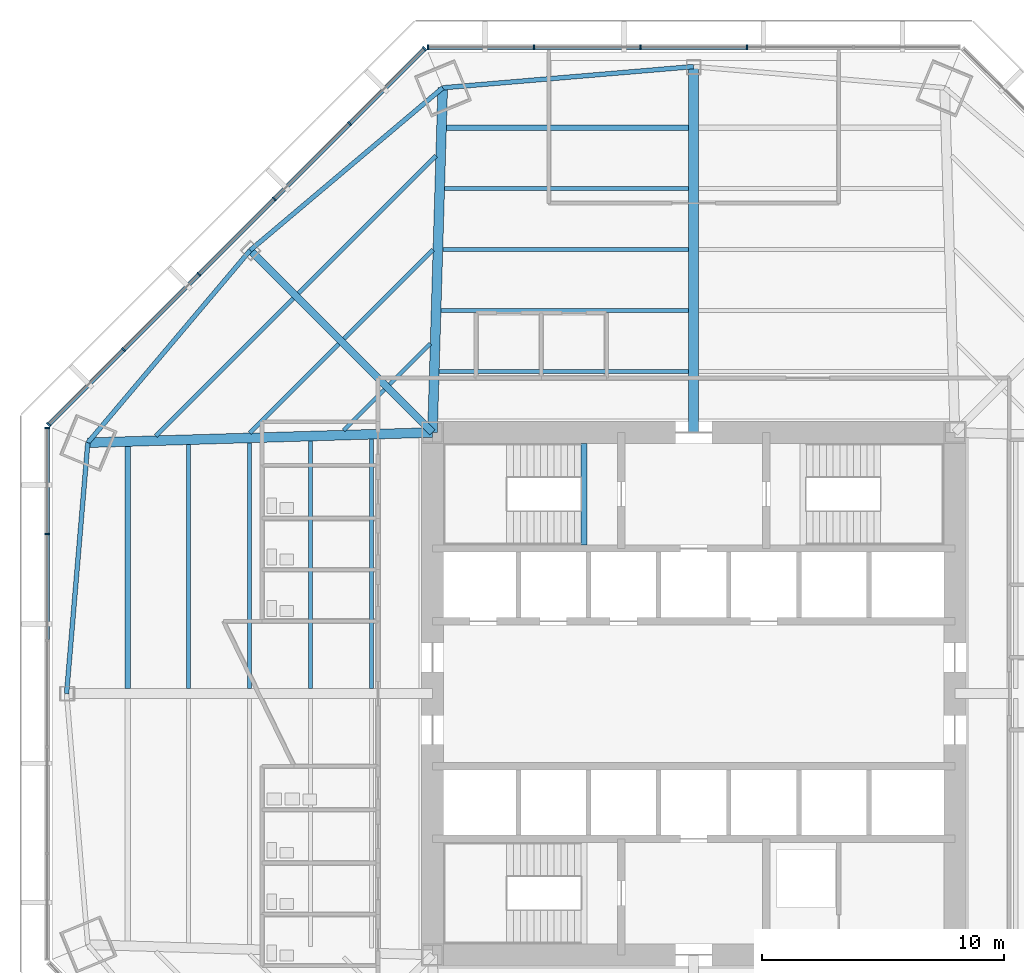
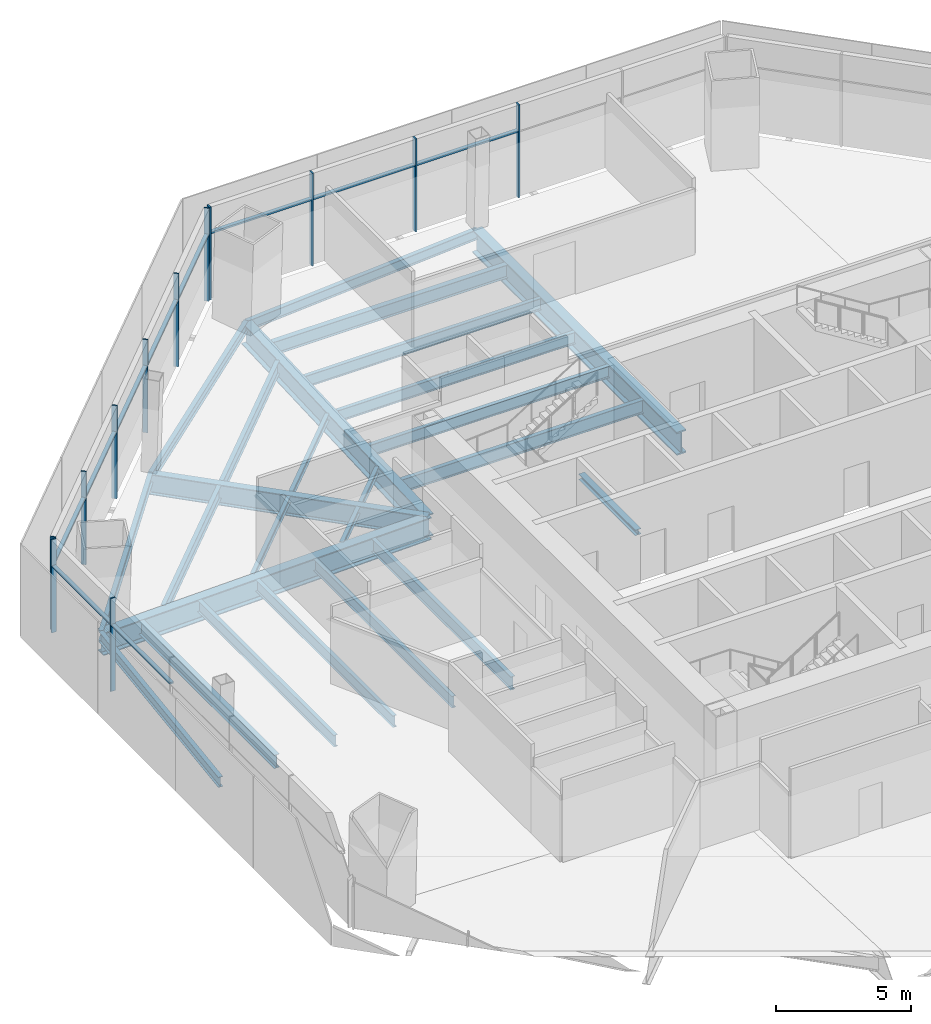
# One storey, part 4 of 13: 25 beams, 22 members, 3 elements without a shape of their own.
"""IFC4 building model written with IfcOpenShell, lengths in metres."""

from ifc_helpers import new_model, si_unit, direction, frame, origin, origin_2d, place, context, subcontext, project, spatial, rectangle, i_section, extrude, source, transform, mapped, material, material_profile, profile_set, type_object, type_shapes, element, aggregate, save


model = new_model("IFC4")

# Units and contexts
model_context = context("Model", 3, precision=1e-05, world=origin(), true_north=direction((0.0, 1.0)))
body_context = subcontext(model_context, "Body", "Model", "MODEL_VIEW")
ifc_project = project(units=[si_unit("LENGTHUNIT", "METRE"), si_unit("AREAUNIT", "SQUARE_METRE"), si_unit("VOLUMEUNIT", "CUBIC_METRE"), si_unit("PLANEANGLEUNIT", "RADIAN"), si_unit("MASSUNIT", "GRAM", prefix="KILO")], contexts=[model_context])

# Site, building, storey
site_placement = place(None, origin())
site = spatial("IfcSite", under=ifc_project, at=site_placement, CompositionType="ELEMENT")
building_placement = place(site_placement, origin())
building = spatial("IfcBuilding", under=site, at=building_placement, Name="Mashrafa Tower", CompositionType="ELEMENT")
storey_placement = place(building_placement, frame((0.0, 0.0, 45.60009765625)))
storey = spatial("IfcBuildingStorey", under=building, at=storey_placement, Name="L09", CompositionType="ELEMENT", Elevation=45.60009765625)

# Beams
ifc_material_1 = material(Name="Steel ASTM A992", Category="steel")
ifc_material_profile_1 = material_profile(ifc_material_1, i_section(OverallWidth=0.164794921875, OverallDepth=0.309814453125, WebThickness=0.005859375, FlangeThickness=0.009765625, FilletRadius=0.007568359375, at=origin_2d()), Name="W12X26")
ifc_profile_set_1 = profile_set([ifc_material_profile_1], Name="Steel ASTM A992")
beam_type_1 = type_object("IfcBeamType", Name="Beam W12X26", PredefinedType="BEAM", material=ifc_profile_set_1)
beam_1_placement = place(storey_placement, frame((-18.358642578125, 10.776123046875, -0.320068359375), z_axis=(0.707083341053, 0.707130220543, 0.0), x_axis=(-0.707130220543, 0.707083341053, 0.0)))
element("IfcBeam", 1, at=beam_1_placement, inside=storey, type_object=beam_type_1, Name="Floor beam L09 006", PredefinedType="BEAM", context=body_context, shape_type="SweptSolid", body=[
    extrude(i_section(OverallWidth=0.164794921875, OverallDepth=0.309814453125, WebThickness=0.005859375, FlangeThickness=0.009765625, FilletRadius=0.007568359375, at=origin_2d()), origin(), (0.0, 0.0, 1.0), 5.207763671875),
])
beam_2_placement = place(storey_placement, frame((-14.475830078125, 10.8916015625, -0.320068359375), z_axis=(0.707106781187, 0.707106781187, 0.0), x_axis=(-0.707106781187, 0.707106781187, 0.0)))
element("IfcBeam", 2, at=beam_2_placement, inside=storey, type_object=beam_type_1, Name="Floor beam L09 013", PredefinedType="BEAM", context=body_context, shape_type="SweptSolid", body=[
    extrude(i_section(OverallWidth=0.164794921875, OverallDepth=0.309814453125, WebThickness=0.005859375, FlangeThickness=0.009765625, FilletRadius=0.007568359375, at=origin_2d()), origin(), (0.0, 0.0, 1.0), 2.380615234375),
])
beam_3_placement = place(storey_placement, frame((-14.458740234375, 14.67626953125, -0.320068359375), z_axis=(0.707130220543, 0.707083341053, 0.0), x_axis=(-0.707083341053, 0.707130220543, 0.0)))
element("IfcBeam", 3, at=beam_3_placement, inside=storey, type_object=beam_type_1, Name="Floor beam L09 015", PredefinedType="BEAM", context=body_context, shape_type="SweptSolid", body=[
    extrude(i_section(OverallWidth=0.164794921875, OverallDepth=0.309814453125, WebThickness=0.005859375, FlangeThickness=0.009765625, FilletRadius=0.007568359375, at=origin_2d()), origin(), (0.0, 0.0, 1.0), 5.207763671875),
])
beam_4_placement = place(storey_placement, frame((-12.574951171875, 12.79248046875, -0.320068359375), z_axis=(0.707106781187, 0.707106781187, 0.0), x_axis=(-0.707106781187, 0.707106781187, 0.0)))
element("IfcBeam", 4, at=beam_4_placement, inside=storey, type_object=beam_type_1, Name="Floor beam L09 019", PredefinedType="BEAM", context=body_context, shape_type="SweptSolid", body=[
    extrude(i_section(OverallWidth=0.164794921875, OverallDepth=0.309814453125, WebThickness=0.005859375, FlangeThickness=0.009765625, FilletRadius=0.007568359375, at=origin_2d()), origin(), (0.0, 0.0, 1.0), 2.380615234375),
])
ifc_material_2 = material(Name="Steel ASTM A992", Category="steel")
ifc_material_profile_2 = material_profile(ifc_material_2, i_section(OverallWidth=0.191162109375, OverallDepth=0.459716796875, WebThickness=0.010009765625, FlangeThickness=0.01611328125, FilletRadius=0.01025390625, at=origin_2d()), Name="W18X55")
ifc_profile_set_2 = profile_set([ifc_material_profile_2], Name="Steel ASTM A992")
beam_type_2 = type_object("IfcBeamType", Name="Beam W18X55", PredefinedType="BEAM", material=ifc_profile_set_2)
beam_5_placement = place(storey_placement, frame((-25.05126953125, 10.376708984375, -0.39501953125), z_axis=(-0.084327875805, -0.996438060976, 0.0), x_axis=(0.996438060976, -0.084327875805, 0.0)))
element("IfcBeam", 5, at=beam_5_placement, inside=storey, type_object=beam_type_2, Name="Spandrel beam L09 083", PredefinedType="BEAM", context=body_context, shape_type="SweptSolid", body=[
    extrude(i_section(OverallWidth=0.191162109375, OverallDepth=0.459716796875, WebThickness=0.010009765625, FlangeThickness=0.01611328125, FilletRadius=0.01025390625, at=origin_2d()), origin(), (0.0, 0.0, 1.0), 10.413818359375),
])
for number, where, z_axis, x_axis, name in (
    (6, (-18.3349609375, 18.3349609375, -0.39501953125), (-0.64495695608, -0.764218898486, 0.0), (0.764218898486, -0.64495695608, 0.0), "Spandrel beam L09 085"),
    (7, (-10.376708984375, 25.05126953125, -0.39501953125), (-0.764218898486, -0.64495695608, 0.0), (0.64495695608, -0.764218898486, 0.0), "Spandrel beam L09 087"),
):
    element("IfcBeam", number, at=place(storey_placement, frame(where, z_axis=z_axis, x_axis=x_axis)), inside=storey, type_object=beam_type_2, Name=name, PredefinedType="BEAM", context=body_context, shape_type="SweptSolid", body=[
        extrude(i_section(OverallWidth=0.191162109375, OverallDepth=0.459716796875, WebThickness=0.010009765625, FlangeThickness=0.01611328125, FilletRadius=0.01025390625, at=origin_2d()), origin(), (0.0, 0.0, 1.0), 10.41357421875),
    ])
beam_6_placement = place(storey_placement, frame((0.0, 25.929443359375, -0.39501953125), z_axis=(-0.996438060976, -0.084327875805, 0.0), x_axis=(0.084327875805, -0.996438060976, 0.0)))
element("IfcBeam", 8, at=beam_6_placement, inside=storey, type_object=beam_type_2, Name="Spandrel beam L09 089", PredefinedType="BEAM", context=body_context, shape_type="SweptSolid", body=[
    extrude(i_section(OverallWidth=0.191162109375, OverallDepth=0.459716796875, WebThickness=0.010009765625, FlangeThickness=0.01611328125, FilletRadius=0.01025390625, at=origin_2d()), origin(), (0.0, 0.0, 1.0), 10.413818359375),
])
ifc_material_3 = material(Name="Steel ASTM A992", Category="steel")
ifc_material_profile_3 = material_profile(ifc_material_3, i_section(OverallWidth=0.1650390625, OverallDepth=0.52587890625, WebThickness=0.0087890625, FlangeThickness=0.011474609375, FilletRadius=0.0126953125, at=origin_2d()), Name="W21X44")
ifc_profile_set_3 = profile_set([ifc_material_profile_3], Name="Steel ASTM A992")
beam_type_3 = type_object("IfcBeamType", Name="Beam W21X44", PredefinedType="BEAM", material=ifc_profile_set_3)
for number, where, z_axis, x_axis, name in (
    (9, (-20.88623046875, 0.20458984375, -0.427978515625), (0.0, 1.0, 0.0), (-1.0, 0.0, 0.0), "Floor beam L09 005"),
    (10, (-10.299560546875, 20.88623046875, -0.427978515625), (1.0, 0.0, 0.0), (0.0, 1.0, 0.0), "Floor beam L09 025"),
):
    element("IfcBeam", number, at=place(storey_placement, frame(where, z_axis=z_axis, x_axis=x_axis)), inside=storey, type_object=beam_type_3, Name=name, PredefinedType="BEAM", context=body_context, shape_type="SweptSolid", body=[
        extrude(i_section(OverallWidth=0.1650390625, OverallDepth=0.52587890625, WebThickness=0.0087890625, FlangeThickness=0.011474609375, FilletRadius=0.0126953125, at=origin_2d()), origin(), (0.0, 0.0, 1.0), 10.094970703125),
    ])
ifc_material_4 = material(Name="Steel ASTM A992", Category="steel")
ifc_material_profile_4 = material_profile(ifc_material_4, i_section(OverallWidth=0.165771484375, OverallDepth=0.5283203125, WebThickness=0.009765625, FlangeThickness=0.013671875, FilletRadius=0.012939453125, at=origin_2d()), Name="W21X50")
ifc_profile_set_4 = profile_set([ifc_material_profile_4], Name="Steel ASTM A992")
beam_type_4 = type_object("IfcBeamType", Name="Beam W21X50", PredefinedType="BEAM", material=ifc_profile_set_4)
beam_7_placement = place(storey_placement, frame((-18.36474609375, 0.20458984375, -0.42919921875), z_axis=(0.0, 1.0, 0.0), x_axis=(-1.0, 0.0, 0.0)))
element("IfcBeam", 11, at=beam_7_placement, inside=storey, type_object=beam_type_4, Name="Floor beam L09 008", PredefinedType="BEAM", context=body_context, shape_type="SweptSolid", body=[
    extrude(i_section(OverallWidth=0.165771484375, OverallDepth=0.5283203125, WebThickness=0.009765625, FlangeThickness=0.013671875, FilletRadius=0.012939453125, at=origin_2d()), origin(), (0.0, 0.0, 1.0), 10.169921875),
])
for number, where, z_axis, x_axis, name in (
    (12, (-15.843017578125, 0.20458984375, -0.42919921875), (0.0, 1.0, 0.0), (-1.0, 0.0, 0.0), "Floor beam L09 012"),
    (13, (-10.449462890625, 15.843017578125, -0.42919921875), (1.0, 0.0, 0.0), (0.0, 1.0, 0.0), "Floor beam L09 022"),
):
    element("IfcBeam", number, at=place(storey_placement, frame(where, z_axis=z_axis, x_axis=x_axis)), inside=storey, type_object=beam_type_4, Name=name, PredefinedType="BEAM", context=body_context, shape_type="SweptSolid", body=[
        extrude(i_section(OverallWidth=0.165771484375, OverallDepth=0.5283203125, WebThickness=0.009765625, FlangeThickness=0.013671875, FilletRadius=0.012939453125, at=origin_2d()), origin(), (0.0, 0.0, 1.0), 10.244873046875),
    ])
beam_8_placement = place(storey_placement, frame((-10.37451171875, 18.36474609375, -0.42919921875), z_axis=(1.0, 0.0, 0.0), x_axis=(0.0, 1.0, 0.0)))
element("IfcBeam", 14, at=beam_8_placement, inside=storey, type_object=beam_type_4, Name="Floor beam L09 023", PredefinedType="BEAM", context=body_context, shape_type="SweptSolid", body=[
    extrude(i_section(OverallWidth=0.165771484375, OverallDepth=0.5283203125, WebThickness=0.009765625, FlangeThickness=0.013671875, FilletRadius=0.012939453125, at=origin_2d()), origin(), (0.0, 0.0, 1.0), 10.169921875),
])
ifc_material_5 = material(Name="Steel ASTM A992", Category="steel")
ifc_material_profile_5 = material_profile(ifc_material_5, i_section(OverallWidth=0.177978515625, OverallDepth=0.599365234375, WebThickness=0.010009765625, FlangeThickness=0.012939453125, FilletRadius=0.012939453125, at=origin_2d()), Name="W24X55")
ifc_profile_set_5 = profile_set([ifc_material_profile_5], Name="Steel ASTM A992")
beam_type_5 = type_object("IfcBeamType", Name="Beam W24X55", PredefinedType="BEAM", material=ifc_profile_set_5)
for number, where, z_axis, x_axis, name in (
    (15, (-22.241455078125, 10.660888671875, -0.46484375), (0.707106781187, 0.707106781187, 0.0), (-0.707106781187, 0.707106781187, 0.0), "Floor beam L09 003"),
    (16, (-16.342529296875, 16.559814453125, -0.46484375), (0.707106781187, 0.707106781187, 0.0), (-0.707106781187, 0.707106781187, 0.0), "Floor beam L09 010"),
):
    element("IfcBeam", number, at=place(storey_placement, frame(where, z_axis=z_axis, x_axis=x_axis)), inside=storey, type_object=beam_type_5, Name=name, PredefinedType="BEAM", context=body_context, shape_type="SweptSolid", body=[
        extrude(i_section(OverallWidth=0.177978515625, OverallDepth=0.599365234375, WebThickness=0.010009765625, FlangeThickness=0.012939453125, FilletRadius=0.012939453125, at=origin_2d()), origin(), (0.0, 0.0, 1.0), 8.03515625),
    ])
for number, where, z_axis, x_axis, name in (
    (17, (-13.321533203125, 0.20458984375, -0.46484375), (0.0, 1.0, 0.0), (-1.0, 0.0, 0.0), "Floor beam L09 017"),
    (18, (-10.5244140625, 13.321533203125, -0.46484375), (1.0, 0.0, 0.0), (0.0, 1.0, 0.0), "Floor beam L09 020"),
):
    element("IfcBeam", number, at=place(storey_placement, frame(where, z_axis=z_axis, x_axis=x_axis)), inside=storey, type_object=beam_type_5, Name=name, PredefinedType="BEAM", context=body_context, shape_type="SweptSolid", body=[
        extrude(i_section(OverallWidth=0.177978515625, OverallDepth=0.599365234375, WebThickness=0.010009765625, FlangeThickness=0.012939453125, FilletRadius=0.012939453125, at=origin_2d()), origin(), (0.0, 0.0, 1.0), 10.31982421875),
    ])
ifc_material_6 = material(Name="Steel ASTM A992", Category="steel")
ifc_material_profile_6 = material_profile(ifc_material_6, i_section(OverallWidth=0.227783203125, OverallDepth=0.60205078125, WebThickness=0.010498046875, FlangeThickness=0.014892578125, FilletRadius=0.012939453125, at=origin_2d()), Name="W24X68")
ifc_profile_set_6 = profile_set([ifc_material_profile_6], Name="Steel ASTM A992")
beam_type_6 = type_object("IfcBeamType", Name="Beam W24X68", PredefinedType="BEAM", material=ifc_profile_set_6)
for number, where, z_axis, x_axis, name in (
    (19, (-23.40771484375, 0.20458984375, -0.466064453125), (0.0, 1.0, 0.0), (-1.0, 0.0, 0.0), "Floor beam L09 002"),
    (20, (-10.224609375, 23.40771484375, -0.466064453125), (1.0, 0.0, 0.0), (0.0, 1.0, 0.0), "Floor beam L09 027"),
):
    element("IfcBeam", number, at=place(storey_placement, frame(where, z_axis=z_axis, x_axis=x_axis)), inside=storey, type_object=beam_type_6, Name=name, PredefinedType="BEAM", context=body_context, shape_type="SweptSolid", body=[
        extrude(i_section(OverallWidth=0.227783203125, OverallDepth=0.60205078125, WebThickness=0.010498046875, FlangeThickness=0.014892578125, FilletRadius=0.012939453125, at=origin_2d()), origin(), (0.0, 0.0, 1.0), 10.02001953125),
    ])
ifc_material_7 = material(Name="Steel ASTM A992", Category="steel")
ifc_material_profile_7 = material_profile(ifc_material_7, i_section(OverallWidth=0.307373046875, OverallDepth=0.927001953125, WebThickness=0.01953125, FlangeThickness=0.031982421875, FilletRadius=0.01904296875, at=origin_2d()), Name="W36X194")
ifc_profile_set_7 = profile_set([ifc_material_profile_7], Name="Steel ASTM A992")
beam_type_7 = type_object("IfcBeamType", Name="Beam W36X194", PredefinedType="BEAM", material=ifc_profile_set_7)
beam_9_placement = place(storey_placement, frame((-10.800048828125, 10.800048828125, -0.628662109375), z_axis=(-0.707106781187, 0.707106781187, 0.0), x_axis=(-0.707106781187, -0.707106781187, 0.0)))
element("IfcBeam", 21, at=beam_9_placement, inside=storey, type_object=beam_type_7, Name="Radial girder L09 070", PredefinedType="BEAM", context=body_context, shape_type="SweptSolid", body=[
    extrude(i_section(OverallWidth=0.307373046875, OverallDepth=0.927001953125, WebThickness=0.01953125, FlangeThickness=0.031982421875, FilletRadius=0.01904296875, at=origin_2d()), origin(), (0.0, 0.0, 1.0), 10.656005859375),
])
ifc_material_8 = material(Name="Steel ASTM A992", Category="steel")
ifc_material_profile_8 = material_profile(ifc_material_8, i_section(OverallWidth=0.4013671875, OverallDepth=1.010986328125, WebThickness=0.023681640625, FlangeThickness=0.0419921875, FilletRadius=0.02001953125, at=origin_2d()), Name="W40X297")
ifc_profile_set_8 = profile_set([ifc_material_profile_8], Name="Steel ASTM A992")
beam_type_8 = type_object("IfcBeamType", Name="Beam W40X297", PredefinedType="BEAM", material=ifc_profile_set_8)
for number, where, z_axis, x_axis, name in (
    (22, (-10.800048828125, 10.800048828125, -0.670654296875), (-0.999559082986, -0.029692416869, 0.0), (0.029692416869, -0.999559082986, 0.0), "Radial girder L09 069"),
    (23, (-10.800048828125, 10.800048828125, -0.670654296875), (0.029692416869, 0.999559082986, 0.0), (-0.999559082986, 0.029692416869, 0.0), "Radial girder L09 071"),
):
    element("IfcBeam", number, at=place(storey_placement, frame(where, z_axis=z_axis, x_axis=x_axis)), inside=storey, type_object=beam_type_8, Name=name, PredefinedType="BEAM", context=body_context, shape_type="SweptSolid", body=[
        extrude(i_section(OverallWidth=0.4013671875, OverallDepth=1.010986328125, WebThickness=0.023681640625, FlangeThickness=0.0419921875, FilletRadius=0.02001953125, at=origin_2d()), origin(), (0.0, 0.0, 1.0), 14.257568359375),
    ])
ifc_material_9 = material(Name="Steel ASTM A992", Category="steel")
ifc_material_profile_9 = material_profile(ifc_material_9, i_section(OverallWidth=0.408935546875, OverallDepth=1.04150390625, WebThickness=0.031005859375, FlangeThickness=0.055908203125, FilletRadius=0.020263671875, at=origin_2d()), Name="W40X397")
ifc_profile_set_9 = profile_set([ifc_material_profile_9], Name="Steel ASTM A992")
beam_type_9 = type_object("IfcBeamType", Name="Beam W40X397", PredefinedType="BEAM", material=ifc_profile_set_9)
beam_10_placement = place(storey_placement, frame((0.0, 10.800048828125, -0.685791015625), z_axis=(0.0, 1.0, 0.0), x_axis=(-1.0, 0.0, 0.0)))
element("IfcBeam", 24, at=beam_10_placement, inside=storey, type_object=beam_type_9, Name="Radial girder L09 073", PredefinedType="BEAM", context=body_context, shape_type="SweptSolid", body=[
    extrude(i_section(OverallWidth=0.408935546875, OverallDepth=1.04150390625, WebThickness=0.031005859375, FlangeThickness=0.055908203125, FilletRadius=0.020263671875, at=origin_2d()), origin(), (0.0, 0.0, 1.0), 15.12939453125),
])
ifc_material_10 = material(Name="Steel ASTM A992", Category="steel")
ifc_material_profile_10 = material_profile(ifc_material_10, i_section(OverallWidth=0.25390625, OverallDepth=0.25390625, WebThickness=0.008544921875, FlangeThickness=0.01416015625, FilletRadius=0.010009765625, at=origin_2d()), Name="W10X49")
ifc_profile_set_10 = profile_set([ifc_material_profile_10], Name="Steel ASTM A992")
beam_type_10 = type_object("IfcBeamType", Name="Hoistway beam W10X49", PredefinedType="BEAM", material=ifc_profile_set_10)
beam_11_placement = place(storey_placement, frame((-4.530029296875, 6.14990234375, -0.3271484375), z_axis=(0.0, 1.0, 0.0), x_axis=(-1.0, 0.0, 0.0)))
element("IfcBeam", 25, at=beam_11_placement, inside=storey, type_object=beam_type_10, Name="Stair S1 landing beam L09", PredefinedType="BEAM", context=body_context, shape_type="SweptSolid", body=[
    extrude(i_section(OverallWidth=0.25390625, OverallDepth=0.25390625, WebThickness=0.008544921875, FlangeThickness=0.01416015625, FilletRadius=0.010009765625, at=origin_2d()), origin(), (0.0, 0.0, 1.0), 4.2001953125),
])

# Curtain wall, members
ifc_material_11 = material(Name="Unitised aluminium curtain wall", Category="aluminium")
curtain_wall_type = type_object("IfcCurtainWallType", Name="Office curtain wall, zone 1 CW-A 200 deep", PredefinedType="NOTDEFINED", material=ifc_material_11)
curtain_wall_1_placement = place(storey_placement, origin())
curtain_wall_1 = element("IfcCurtainWall", 26, at=curtain_wall_1_placement, inside=storey, type_object=curtain_wall_type, Name="Office curtain wall, zone 1 L09 north", PredefinedType="NOTDEFINED")
ifc_material_12 = material(Name="Extruded aluminium mullion", Category="aluminium")
ifc_material_profile_11 = material_profile(ifc_material_12, rectangle(XDim=0.199951171875, YDim=0.06494140625, at=origin_2d()), Name="Mullion 65x200")
ifc_profile_set_11 = profile_set([ifc_material_profile_11], Name="Extruded aluminium mullion")
member_type_1 = type_object("IfcMemberType", Name="Mullion CW-A 65 x 200", PredefinedType="MULLION", material=ifc_profile_set_11)
shared_shape_1 = source(origin(), body_context, "Body", "SweptSolid", [
    extrude(rectangle(XDim=0.199951171875, YDim=0.06494140625, at=origin_2d()), origin(), (0.0, 0.0, 1.0), 4.199951171875),
])
type_shapes(member_type_1, [shared_shape_1])
member_1_placement = place(storey_placement, frame((2.20361328125, 26.724853515625, 0.0), z_axis=(0.0, 0.0, 1.0), x_axis=(0.0, -1.0, 0.0)))
member_1 = element("IfcMember", 27, at=member_1_placement, type_object=member_type_1, Name="CW-A mullion 3", PredefinedType="MULLION", context=body_context, shape_type="MappedRepresentation", body=[
    mapped(shared_shape_1, transform((0.0, 0.0, 0.0))),
])
member_2_placement = place(storey_placement, frame((-2.20361328125, 26.724853515625, 0.0), z_axis=(0.0, 0.0, 1.0), x_axis=(0.0, -1.0, 0.0)))
member_2 = element("IfcMember", 28, at=member_2_placement, type_object=member_type_1, Name="CW-A mullion 4", PredefinedType="MULLION", context=body_context, shape_type="MappedRepresentation", body=[
    mapped(shared_shape_1, transform((0.0, 0.0, 0.0))),
])
member_3_placement = place(storey_placement, frame((-6.611083984375, 26.724853515625, 0.0), z_axis=(0.0, 0.0, 1.0), x_axis=(0.0, -1.0, 0.0)))
member_3 = element("IfcMember", 29, at=member_3_placement, type_object=member_type_1, Name="CW-A mullion 5", PredefinedType="MULLION", context=body_context, shape_type="MappedRepresentation", body=[
    mapped(shared_shape_1, transform((0.0, 0.0, 0.0))),
])
member_4_placement = place(storey_placement, frame((-10.98583984375, 26.724853515625, 0.0), z_axis=(0.0, 0.0, 1.0), x_axis=(0.0, -1.0, 0.0)))
member_4 = element("IfcMember", 30, at=member_4_placement, type_object=member_type_1, Name="CW-A mullion 6", PredefinedType="MULLION", context=body_context, shape_type="MappedRepresentation", body=[
    mapped(shared_shape_1, transform((0.0, 0.0, 0.0))),
])

curtain_wall_2_placement = place(storey_placement, origin())
curtain_wall_2 = element("IfcCurtainWall", 31, at=curtain_wall_2_placement, inside=storey, type_object=curtain_wall_type, Name="Office curtain wall, zone 1 L09 north-west", PredefinedType="NOTDEFINED")
member_5_placement = place(storey_placement, frame((-11.129150390625, 26.66552734375, 0.0), z_axis=(0.0, 0.0, 1.0), x_axis=(0.707106781187, -0.707106781187, 0.0)))
member_5 = element("IfcMember", 32, at=member_5_placement, type_object=member_type_1, Name="CW-A mullion 1", PredefinedType="MULLION", context=body_context, shape_type="MappedRepresentation", body=[
    mapped(shared_shape_1, transform((0.0, 0.0, 0.0))),
])
member_6_placement = place(storey_placement, frame((-14.22265625, 23.572021484375, 0.0), z_axis=(0.0, 0.0, 1.0), x_axis=(0.707106781187, -0.707106781187, 0.0)))
member_6 = element("IfcMember", 33, at=member_6_placement, type_object=member_type_1, Name="CW-A mullion 2", PredefinedType="MULLION", context=body_context, shape_type="MappedRepresentation", body=[
    mapped(shared_shape_1, transform((0.0, 0.0, 0.0))),
])
member_7_placement = place(storey_placement, frame((-17.339111328125, 20.45556640625, 0.0), z_axis=(0.0, 0.0, 1.0), x_axis=(0.707106781187, -0.707106781187, 0.0)))
member_7 = element("IfcMember", 34, at=member_7_placement, type_object=member_type_1, Name="CW-A mullion 3", PredefinedType="MULLION", context=body_context, shape_type="MappedRepresentation", body=[
    mapped(shared_shape_1, transform((0.0, 0.0, 0.0))),
])
member_8_placement = place(storey_placement, frame((-20.45556640625, 17.339111328125, 0.0), z_axis=(0.0, 0.0, 1.0), x_axis=(0.707106781187, -0.707106781187, 0.0)))
member_8 = element("IfcMember", 35, at=member_8_placement, type_object=member_type_1, Name="CW-A mullion 4", PredefinedType="MULLION", context=body_context, shape_type="MappedRepresentation", body=[
    mapped(shared_shape_1, transform((0.0, 0.0, 0.0))),
])
member_9_placement = place(storey_placement, frame((-23.572021484375, 14.22265625, 0.0), z_axis=(0.0, 0.0, 1.0), x_axis=(0.707106781187, -0.707106781187, 0.0)))
member_9 = element("IfcMember", 36, at=member_9_placement, type_object=member_type_1, Name="CW-A mullion 5", PredefinedType="MULLION", context=body_context, shape_type="MappedRepresentation", body=[
    mapped(shared_shape_1, transform((0.0, 0.0, 0.0))),
])
member_10_placement = place(storey_placement, frame((-26.66552734375, 11.129150390625, 0.0), z_axis=(0.0, 0.0, 1.0), x_axis=(0.707106781187, -0.707106781187, 0.0)))
member_10 = element("IfcMember", 37, at=member_10_placement, type_object=member_type_1, Name="CW-A mullion 6", PredefinedType="MULLION", context=body_context, shape_type="MappedRepresentation", body=[
    mapped(shared_shape_1, transform((0.0, 0.0, 0.0))),
])

curtain_wall_3_placement = place(storey_placement, origin())
curtain_wall_3 = element("IfcCurtainWall", 38, at=curtain_wall_3_placement, inside=storey, type_object=curtain_wall_type, Name="Office curtain wall, zone 1 L09 west", PredefinedType="NOTDEFINED")
member_11_placement = place(storey_placement, frame((-26.724853515625, 10.98583984375, 0.0), z_axis=(0.0, 0.0, 1.0), x_axis=(1.0, 0.0, 0.0)))
member_11 = element("IfcMember", 39, at=member_11_placement, type_object=member_type_1, Name="CW-A mullion 1", PredefinedType="MULLION", context=body_context, shape_type="MappedRepresentation", body=[
    mapped(shared_shape_1, transform((0.0, 0.0, 0.0))),
])
member_12_placement = place(storey_placement, frame((-26.724853515625, 6.611083984375, 0.0), z_axis=(0.0, 0.0, 1.0), x_axis=(1.0, 0.0, 0.0)))
member_12 = element("IfcMember", 40, at=member_12_placement, type_object=member_type_1, Name="CW-A mullion 2", PredefinedType="MULLION", context=body_context, shape_type="MappedRepresentation", body=[
    mapped(shared_shape_1, transform((0.0, 0.0, 0.0))),
])

# Member
ifc_material_13 = material(Name="Extruded aluminium transom", Category="aluminium")
ifc_material_profile_12 = material_profile(ifc_material_13, rectangle(XDim=0.159912109375, YDim=0.080078125, at=origin_2d()), Name="Transom 80x160")
ifc_profile_set_12 = profile_set([ifc_material_profile_12], Name="Extruded aluminium transom")
member_type_2 = type_object("IfcMemberType", Name="Transom CW-A 80 x 160", PredefinedType="MULLION", material=ifc_profile_set_12)
shared_shape_2 = source(origin(), body_context, "Body", "SweptSolid", [
    extrude(rectangle(XDim=0.159912109375, YDim=0.080078125, at=origin_2d()), origin(), (0.0, 0.0, 1.0), 4.309814453125),
])
member_13_placement = place(storey_placement, frame((-6.6435546875, 26.724853515625, 3.0), z_axis=(-1.0, 0.0, 0.0), x_axis=(0.0, -1.0, 0.0)))
member_13 = element("IfcMember", 41, at=member_13_placement, type_object=member_type_2, Name="CW-A transom 5", PredefinedType="MULLION", context=body_context, shape_type="MappedRepresentation", body=[
    mapped(shared_shape_2, transform((0.0, 0.0, 0.0))),
])

member_14_placement = place(storey_placement, frame((-11.152099609375, 26.642333984375, 3.0), z_axis=(-0.707135104544, -0.707078456695, 0.0), x_axis=(0.707078456695, -0.707135104544, 0.0)))
member_14 = element("IfcMember", 42, at=member_14_placement, type_object=member_type_2, Name="CW-A transom 1", PredefinedType="MULLION", context=body_context, shape_type="MappedRepresentation", body=[
    mapped(shared_shape_2, transform((0.0, 0.0, 0.0))),
])

member_15_placement = place(storey_placement, frame((-23.594970703125, 14.19970703125, 3.0), z_axis=(-0.707078456695, -0.707135104544, 0.0), x_axis=(0.707135104544, -0.707078456695, 0.0)))
member_15 = element("IfcMember", 43, at=member_15_placement, type_object=member_type_2, Name="CW-A transom 5", PredefinedType="MULLION", context=body_context, shape_type="MappedRepresentation", body=[
    mapped(shared_shape_2, transform((0.0, 0.0, 0.0))),
])

member_16_placement = place(storey_placement, frame((-26.724853515625, 10.953369140625, 3.0), z_axis=(0.0, -1.0, 0.0), x_axis=(1.0, 0.0, 0.0)))
member_16 = element("IfcMember", 44, at=member_16_placement, type_object=member_type_2, Name="CW-A transom 1", PredefinedType="MULLION", context=body_context, shape_type="MappedRepresentation", body=[
    mapped(shared_shape_2, transform((0.0, 0.0, 0.0))),
])

shared_shape_3 = source(origin(), body_context, "Body", "SweptSolid", [
    extrude(rectangle(XDim=0.159912109375, YDim=0.080078125, at=origin_2d()), origin(), (0.0, 0.0, 1.0), 4.342529296875),
])
member_17_placement = place(storey_placement, frame((-2.236083984375, 26.724853515625, 3.0), z_axis=(-1.0, 0.0, 0.0), x_axis=(0.0, -1.0, 0.0)))
member_17 = element("IfcMember", 45, at=member_17_placement, type_object=member_type_2, Name="CW-A transom 4", PredefinedType="MULLION", context=body_context, shape_type="MappedRepresentation", body=[
    mapped(shared_shape_3, transform((0.0, 0.0, 0.0))),
])

member_18_placement = place(storey_placement, frame((-14.24560546875, 23.549072265625, 3.0), z_axis=(-0.707106781187, -0.707106781187, 0.0), x_axis=(0.707106781187, -0.707106781187, 0.0)))
member_18 = element("IfcMember", 46, at=member_18_placement, type_object=member_type_2, Name="CW-A transom 2", PredefinedType="MULLION", context=body_context, shape_type="MappedRepresentation", body=[
    mapped(shared_shape_3, transform((0.0, 0.0, 0.0))),
])

member_19_placement = place(storey_placement, frame((-17.362060546875, 20.4326171875, 3.0), z_axis=(-0.707106781187, -0.707106781187, 0.0), x_axis=(0.707106781187, -0.707106781187, 0.0)))
member_19 = element("IfcMember", 47, at=member_19_placement, type_object=member_type_2, Name="CW-A transom 3", PredefinedType="MULLION", context=body_context, shape_type="MappedRepresentation", body=[
    mapped(shared_shape_3, transform((0.0, 0.0, 0.0))),
])

member_20_placement = place(storey_placement, frame((-20.478515625, 17.316162109375, 3.0), z_axis=(-0.707106781187, -0.707106781187, 0.0), x_axis=(0.707106781187, -0.707106781187, 0.0)))
member_20 = element("IfcMember", 48, at=member_20_placement, type_object=member_type_2, Name="CW-A transom 4", PredefinedType="MULLION", context=body_context, shape_type="MappedRepresentation", body=[
    mapped(shared_shape_3, transform((0.0, 0.0, 0.0))),
])

aggregate(curtain_wall_2, [member_5, member_6, member_7, member_8, member_9, member_10, member_14, member_18, member_19, member_20, member_15])

member_21_placement = place(storey_placement, frame((-26.724853515625, 6.57861328125, 3.0), z_axis=(0.0, -1.0, 0.0), x_axis=(1.0, 0.0, 0.0)))
member_21 = element("IfcMember", 49, at=member_21_placement, type_object=member_type_2, Name="CW-A transom 2", PredefinedType="MULLION", context=body_context, shape_type="MappedRepresentation", body=[
    mapped(shared_shape_3, transform((0.0, 0.0, 0.0))),
])

aggregate(curtain_wall_3, [member_11, member_12, member_16, member_21])

shared_shape_4 = source(origin(), body_context, "Body", "SweptSolid", [
    extrude(rectangle(XDim=0.159912109375, YDim=0.080078125, at=origin_2d()), origin(), (0.0, 0.0, 1.0), 4.34228515625),
])
type_shapes(member_type_2, [shared_shape_2, shared_shape_3, shared_shape_4])
member_22_placement = place(storey_placement, frame((2.171142578125, 26.724853515625, 3.0), z_axis=(-1.0, 0.0, 0.0), x_axis=(0.0, -1.0, 0.0)))
member_22 = element("IfcMember", 50, at=member_22_placement, type_object=member_type_2, Name="CW-A transom 3", PredefinedType="MULLION", context=body_context, shape_type="MappedRepresentation", body=[
    mapped(shared_shape_4, transform((0.0, 0.0, 0.0))),
])

aggregate(curtain_wall_1, [member_1, member_2, member_3, member_4, member_22, member_17, member_13])

save(model, "model.ifc")
